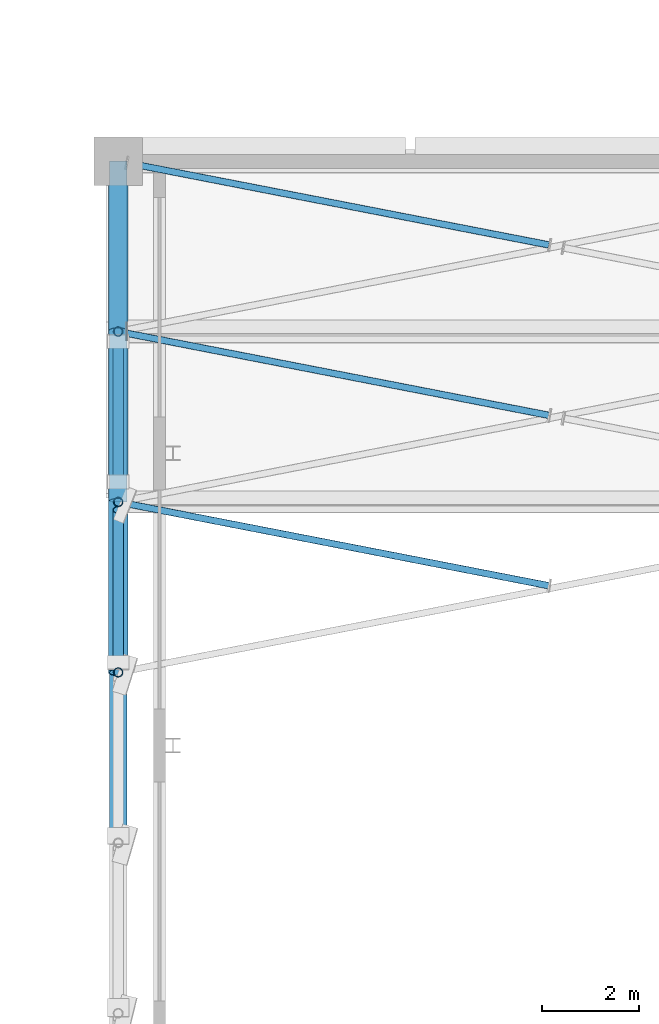
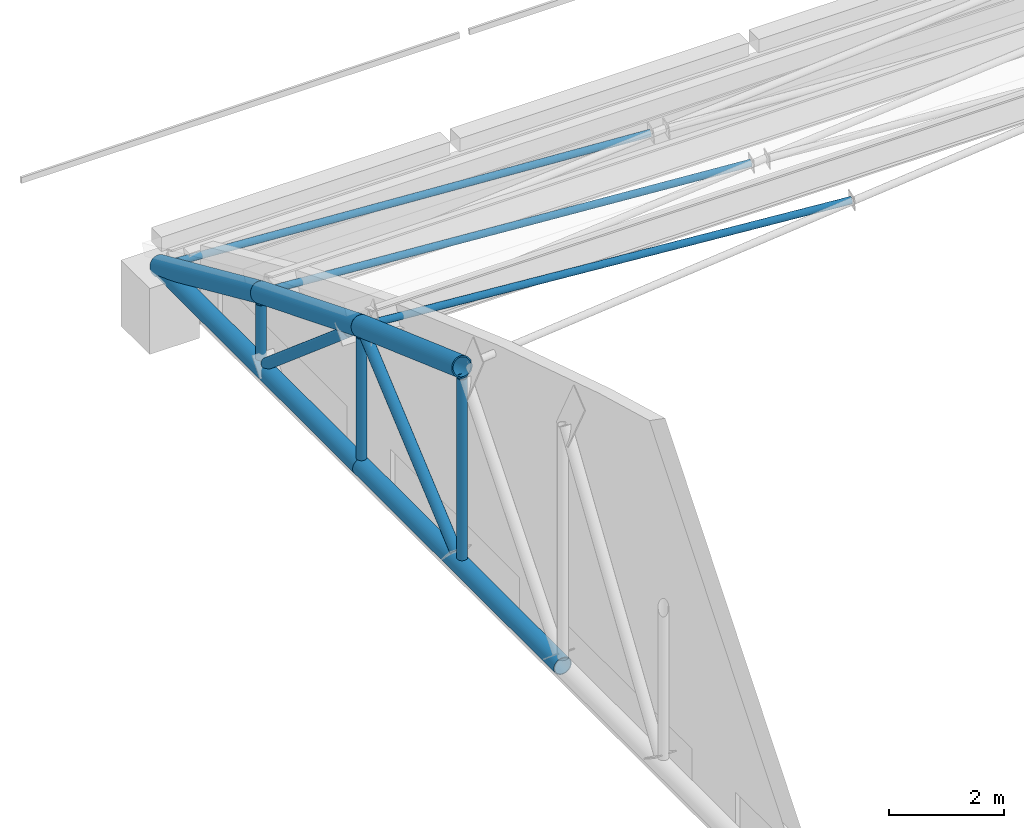
# One storey, part 64 of 196: 13 members.
"""IFC4 building model written with IfcOpenShell, lengths in metres."""

import ifcopenshell
import ifcopenshell.guid

model = None  # the IFC model being written
_history = None  # IfcOwnerHistory: only IFC2X3 demands one
_inside = {}  # id of a spatial element -> (the spatial element, [elements in it])
_under = {}  # id of a project, library or spatial element -> (it, [spatial elements below it])
_declared = {}  # id of a project -> (the project, [libraries it declares])
_typed = {}  # id of a type object -> (the type object, [elements of that type])
_made_of = {}  # id of a material, layer set ... -> (it, [elements and type objects made of it])


def new_model(schema):
    """Start an empty IFC model of exactly this schema.

    Asked for "IFC4X3", IfcOpenShell would pick the latest addendum, in which some entities
    have other attributes; the version numbers below select the first issue.
    IFC2X3 requires an IfcOwnerHistory on every rooted entity: one is made here for all.
    """
    global model, _history
    if schema == "IFC4X3":
        model = ifcopenshell.file(schema_version=(4, 3, 0, 0))
    else:
        model = ifcopenshell.file(schema=schema)
    _inside.clear()
    _under.clear()
    _declared.clear()
    _typed.clear()
    _made_of.clear()
    _history = None
    if model.schema == "IFC2X3":
        org = make("IfcOrganization", Name="unknown")
        user = make(
            "IfcPersonAndOrganization",
            ThePerson=make("IfcPerson", FamilyName="unknown"),
            TheOrganization=org,
        )
        app = make(
            "IfcApplication",
            ApplicationDeveloper=org,
            Version="unknown",
            ApplicationFullName="unknown",
            ApplicationIdentifier="unknown",
        )
        _history = make(
            "IfcOwnerHistory",
            OwningUser=user,
            OwningApplication=app,
            ChangeAction="ADDED",
            CreationDate=0,
        )
    return model


def make(cls, **values):
    """One entity of the class cls with the attributes given. An attribute that is None is left unset."""
    return model.create_entity(
        cls, **{name: value for name, value in values.items() if value is not None}
    )


def rooted(cls, **values):
    """An entity with a GlobalId (a new one), such as an element, a storey or a relation."""
    return make(cls, GlobalId=ifcopenshell.guid.new(), OwnerHistory=_history, **values)


def si_unit(unit_type, name, prefix=None):
    """IfcSIUnit, for example si_unit("LENGTHUNIT", "METRE", prefix="MILLI")."""
    return make("IfcSIUnit", UnitType=unit_type, Prefix=prefix, Name=name)


def assignment(units):
    """IfcUnitAssignment: the units of a project."""
    return None if units is None else make("IfcUnitAssignment", Units=units)


def point(xyz):
    """IfcCartesianPoint."""
    return None if xyz is None else make("IfcCartesianPoint", Coordinates=xyz)


def direction(xyz):
    """IfcDirection."""
    return None if xyz is None else make("IfcDirection", DirectionRatios=xyz)


def frame(location, z_axis=None, x_axis=None):
    """IfcAxis2Placement3D, a coordinate frame: its origin and axes. An axis left out is left unset."""
    return make(
        "IfcAxis2Placement3D",
        Location=point(location),
        Axis=direction(z_axis),
        RefDirection=direction(x_axis),
    )


def frame_2d(location, x_axis=None):
    """IfcAxis2Placement2D, a coordinate frame in the plane: its origin and x axis."""
    return make(
        "IfcAxis2Placement2D", Location=point(location), RefDirection=direction(x_axis)
    )


def origin():
    """The frame at (0, 0, 0) with its axes left unset."""
    return frame((0.0, 0.0, 0.0))


def origin_2d():
    """The frame at (0, 0) in the plane with its x axis left unset."""
    return frame_2d((0.0, 0.0))


def place(relative_to, where):
    """IfcLocalPlacement: puts the frame where relative to a parent placement (None: the world)."""
    return make(
        "IfcLocalPlacement", PlacementRelTo=relative_to, RelativePlacement=where
    )


def context(
    kind, dimensions, precision=None, world=None, true_north=None, identifier=None
):
    """IfcGeometricRepresentationContext, for example the 3D "Model" context."""
    return make(
        "IfcGeometricRepresentationContext",
        ContextIdentifier=identifier,
        ContextType=kind,
        CoordinateSpaceDimension=dimensions,
        Precision=precision,
        WorldCoordinateSystem=world,
        TrueNorth=true_north,
    )


def subcontext(parent, identifier, kind, view, scale=None):
    """IfcGeometricRepresentationSubContext, for example "Body" below "Model"."""
    return make(
        "IfcGeometricRepresentationSubContext",
        ContextIdentifier=identifier,
        ContextType=kind,
        ParentContext=parent,
        TargetScale=scale,
        TargetView=view,
    )


def project(units=None, contexts=None):
    """IfcProject with its units and contexts."""
    return rooted(
        "IfcProject",
        Name="project",
        RepresentationContexts=contexts,
        UnitsInContext=assignment(units),
    )


def spatial(cls, under=None, at=None, **own):
    """A site, building, storey or space (cls), placed at a placement, below another one or the project."""
    s = rooted(cls, ObjectPlacement=at, **own)
    if under is not None:
        _under.setdefault(under.id(), (under, []))[1].append(s)
    return s


def profile(cls, at=None, kind="AREA", **sizes):
    """A parametric profile (cls). Its sizes go by their IFC names, for example OverallWidth=200.0."""
    return make(cls, ProfileType=kind, Position=at, **sizes)


def hollow_circle(**sizes):
    """IfcCircleHollowProfileDef."""
    return profile("IfcCircleHollowProfileDef", **sizes)


def extrude(swept, where, along, depth):
    """IfcExtrudedAreaSolid: the profile swept, set in the frame where, extruded along a direction by depth."""
    return make(
        "IfcExtrudedAreaSolid",
        SweptArea=swept,
        Position=where,
        ExtrudedDirection=direction(along),
        Depth=depth,
    )


def shape(context_of_items, identifier, shape_type, items):
    """IfcShapeRepresentation: the items that make up one representation, for example the "Body"."""
    return make(
        "IfcShapeRepresentation",
        ContextOfItems=context_of_items,
        RepresentationIdentifier=identifier,
        RepresentationType=shape_type,
        Items=items,
    )


def material(Name=None, Category=None):
    """IfcMaterial."""
    return make("IfcMaterial", Name=Name, Category=Category)


def material_profile(
    of_material, cross_section, Name=None, Category=None, Priority=None
):
    """IfcMaterialProfile: a cross section and its material."""
    return make(
        "IfcMaterialProfile",
        Name=Name,
        Material=of_material,
        Profile=cross_section,
        Priority=Priority,
        Category=Category,
    )


def profile_set(profiles, Name=None, composite=None):
    """IfcMaterialProfileSet."""
    return make(
        "IfcMaterialProfileSet",
        Name=Name,
        MaterialProfiles=profiles,
        CompositeProfile=composite,
    )


def made_of(thing, what):
    """Note that an element or type object is made of a material, layer set ...; save() writes the relation."""
    if what is not None:
        _made_of.setdefault(what.id(), (what, []))[1].append(thing)
    return thing


def type_object(cls, material=None, **own):
    """A type object (cls), such as IfcWallType, which elements share."""
    return made_of(rooted(cls, **own), material)


def element(
    cls,
    number,
    at=None,
    inside=None,
    cuts=None,
    type_object=None,
    material=None,
    context=None,
    identifier="Body",
    shape_type=None,
    held_by="IfcProductDefinitionShape",
    body=None,
    shapes=None,
    **own,
):
    """One element of the class cls, such as IfcWall. Its Tag is "e" and its number.

    at: its placement. inside: the storey or other place that contains it. cuts: it is an
    opening in that element (IfcRelVoidsElement). A single representation is given by context,
    identifier, shape_type and body (its items); several are given by shapes. held_by: the class
    of the entity that holds the representations. save() writes the other relations.
    """
    e = rooted(cls, Tag="e%d" % number, ObjectPlacement=at, **own)
    if body is not None:
        shapes = [shape(context, identifier, shape_type, body)]
    if shapes is not None:
        e.Representation = make(held_by, Representations=shapes)
    if inside is not None:
        _inside.setdefault(inside.id(), (inside, []))[1].append(e)
    if cuts is not None:
        rooted(
            "IfcRelVoidsElement", RelatingBuildingElement=cuts, RelatedOpeningElement=e
        )
    if type_object is not None:
        _typed.setdefault(type_object.id(), (type_object, []))[1].append(e)
    return made_of(e, material)


def aggregate(whole, parts):
    """IfcRelAggregates: a whole, such as a stair, and the parts it consists of."""
    return rooted("IfcRelAggregates", RelatingObject=whole, RelatedObjects=parts)


def save(model, path):
    """Write the relations noted so far, then the file.

    IfcRelAggregates (storeys below a building ...), IfcRelContainedInSpatialStructure (elements
    in a storey), IfcRelDefinesByType, IfcRelAssociatesMaterial and IfcRelDeclares: one each for
    every whole, place, type object, material and project.
    """
    for whole, parts in _under.values():
        aggregate(whole, parts)
    for where, things in _inside.values():
        rooted(
            "IfcRelContainedInSpatialStructure",
            RelatedElements=things,
            RelatingStructure=where,
        )
    for kind, things in _typed.values():
        rooted("IfcRelDefinesByType", RelatedObjects=things, RelatingType=kind)
    for what, things in _made_of.values():
        rooted("IfcRelAssociatesMaterial", RelatedObjects=things, RelatingMaterial=what)
    for by, libraries in _declared.values():
        rooted("IfcRelDeclares", RelatingContext=by, RelatedDefinitions=libraries)
    model.write(path)


model = new_model("IFC4")

# Units and contexts
model_context = context("Model", 3, precision=1e-05, world=origin(), true_north=direction((0.0, 1.0)))
body_context = subcontext(model_context, "Body", "Model", "MODEL_VIEW")
ifc_project = project(units=[si_unit("LENGTHUNIT", "METRE"), si_unit("AREAUNIT", "SQUARE_METRE"), si_unit("VOLUMEUNIT", "CUBIC_METRE"), si_unit("PLANEANGLEUNIT", "RADIAN"), si_unit("MASSUNIT", "GRAM", prefix="KILO")], contexts=[model_context])

# Site, building, storey
site_placement = place(None, origin())
site = spatial("IfcSite", under=ifc_project, at=site_placement, CompositionType="ELEMENT")
building_placement = place(site_placement, origin())
building = spatial("IfcBuilding", under=site, at=building_placement, Name="Okhra Congress Centre", CompositionType="ELEMENT")
storey_placement = place(building_placement, frame((0.0, 0.0, 12.0)))
storey = spatial("IfcBuildingStorey", under=building, at=storey_placement, Name="L02", CompositionType="ELEMENT", Elevation=12.0)

# Members
ifc_material = material(Name="Steel S355J2H", Category="steel")
ifc_material_profile_1 = material_profile(ifc_material, hollow_circle(Radius=0.06982421875, WallThickness=0.00634765625, at=origin_2d()), Name="CHS 139.7x6.3")
ifc_profile_set_1 = profile_set([ifc_material_profile_1], Name="Steel S355J2H")
member_type_1 = type_object("IfcMemberType", Name="CHS 139.7x6.3", PredefinedType="BRACE", material=ifc_profile_set_1)
member_1_placement = place(storey_placement, frame((36.844970703125, 207.280029296875, 4.99072265625), z_axis=(-0.979323118912, 0.190430842458, -0.068281205364), x_axis=(-0.190876325854, -0.981614093332, 0.0)))
element("IfcMember", 1, at=member_1_placement, inside=storey, type_object=member_type_1, Name="EH.MEM.L02.XB1-22-2b", PredefinedType="BRACE", context=body_context, shape_type="SweptSolid", body=[
    extrude(hollow_circle(Radius=0.06982421875, WallThickness=0.00634765625, at=origin_2d()), origin(), (0.0, 0.0, 1.0), 8.84228515625),
])
member_2_placement = place(storey_placement, frame((36.847412109375, 210.77978515625, 3.658447265625), z_axis=(-0.97874056041, 0.19029150725, -0.076524882736), x_axis=(-0.190851145429, -0.981618989368, 0.0)))
element("IfcMember", 2, at=member_2_placement, inside=storey, type_object=member_type_1, Name="EH.MEM.L02.XB1-23-2b", PredefinedType="BRACE", context=body_context, shape_type="SweptSolid", body=[
    extrude(hollow_circle(Radius=0.06982421875, WallThickness=0.00634765625, at=origin_2d()), origin(), (0.0, 0.0, 1.0), 8.85009765625),
])
member_3_placement = place(storey_placement, frame((36.85009765625, 214.279052734375, 2.17041015625), z_axis=(-0.978051270157, 0.190181228948, -0.085128215653), x_axis=(-0.190874100976, -0.98161452596, 0.0)))
element("IfcMember", 3, at=member_3_placement, inside=storey, type_object=member_type_1, Name="EH.MEM.L02.XB1-24-2b", PredefinedType="BRACE", context=body_context, shape_type="SweptSolid", body=[
    extrude(hollow_circle(Radius=0.06982421875, WallThickness=0.00634765625, at=origin_2d()), origin(), (0.0, 0.0, 1.0), 8.85888671875),
])
ifc_material_profile_2 = material_profile(ifc_material, hollow_circle(Radius=0.096923828125, WallThickness=0.012451171875, at=origin_2d()), Name="CHS 193.7x12.5")
ifc_profile_set_2 = profile_set([ifc_material_profile_2], Name="Steel S355J2H")
member_type_2 = type_object("IfcMemberType", Name="CHS 193.7x12.5", PredefinedType="POST", material=ifc_profile_set_2)
member_4_placement = place(storey_placement, frame((28.0, 205.5, 1.577880859375), z_axis=(0.0, 0.0, 1.0), x_axis=(1.0, 0.0, 0.0)))
element("IfcMember", 4, at=member_4_placement, inside=storey, type_object=member_type_2, Name="EH.MEM.L02.T1-VER-21", PredefinedType="POST", context=body_context, shape_type="SweptSolid", body=[
    extrude(hollow_circle(Radius=0.096923828125, WallThickness=0.012451171875, at=origin_2d()), origin(), (0.0, 0.0, 1.0), 3.836669921875),
])
member_5_placement = place(storey_placement, frame((28.0, 209.0, 1.577880859375), z_axis=(0.0, 0.0, 1.0), x_axis=(1.0, 0.0, 0.0)))
element("IfcMember", 5, at=member_5_placement, inside=storey, type_object=member_type_2, Name="EH.MEM.L02.T1-VER-22", PredefinedType="POST", context=body_context, shape_type="SweptSolid", body=[
    extrude(hollow_circle(Radius=0.096923828125, WallThickness=0.012451171875, at=origin_2d()), origin(), (0.0, 0.0, 1.0), 2.578857421875),
])
member_6_placement = place(storey_placement, frame((28.0, 212.5, 1.577880859375), z_axis=(0.0, 0.0, 1.0), x_axis=(1.0, 0.0, 0.0)))
element("IfcMember", 6, at=member_6_placement, inside=storey, type_object=member_type_2, Name="EH.MEM.L02.T1-VER-23", PredefinedType="POST", context=body_context, shape_type="SweptSolid", body=[
    extrude(hollow_circle(Radius=0.096923828125, WallThickness=0.012451171875, at=origin_2d()), origin(), (0.0, 0.0, 1.0), 1.168212890625),
])
ifc_material_profile_3 = material_profile(ifc_material, hollow_circle(Radius=0.109619140625, WallThickness=0.012451171875, at=origin_2d()), Name="CHS 219.1x12.5")
ifc_profile_set_3 = profile_set([ifc_material_profile_3], Name="Steel S355J2H")
member_type_3 = type_object("IfcMemberType", Name="CHS 219.1x12.5", PredefinedType="BRACE", material=ifc_profile_set_3)
member_7_placement = place(storey_placement, frame((28.0, 208.8388671875, 4.237060546875), z_axis=(0.0, -0.762061047132, -0.64750518179), x_axis=(1.0, 0.0, 0.0)))
element("IfcMember", 7, at=member_7_placement, inside=storey, type_object=member_type_3, Name="EH.MEM.L02.T1-DIA-21", PredefinedType="BRACE", context=body_context, shape_type="SweptSolid", body=[
    extrude(hollow_circle(Radius=0.109619140625, WallThickness=0.012451171875, at=origin_2d()), origin(), (0.0, 0.0, 1.0), 4.106689453125),
])
member_8_placement = place(storey_placement, frame((28.0, 209.42578125, 4.01220703125), z_axis=(0.0, 0.76205947483, -0.647507032257), x_axis=(-1.0, 0.0, 0.0)))
element("IfcMember", 8, at=member_8_placement, inside=storey, type_object=member_type_3, Name="EH.MEM.L02.T1-DIA-22", PredefinedType="BRACE", context=body_context, shape_type="SweptSolid", body=[
    extrude(hollow_circle(Radius=0.109619140625, WallThickness=0.012451171875, at=origin_2d()), origin(), (0.0, 0.0, 1.0), 3.759521484375),
])
ifc_material_profile_4 = material_profile(ifc_material, hollow_circle(Radius=0.177734375, WallThickness=0.01611328125, at=origin_2d()), Name="CHS 355.6x16.0")
ifc_profile_set_4 = profile_set([ifc_material_profile_4], Name="Steel S355J2H")
member_type_4 = type_object("IfcMemberType", Name="CHS 355.6x16.0", PredefinedType="CHORD", material=ifc_profile_set_4)
member_9_placement = place(storey_placement, frame((28.0, 202.0, 1.39990234375), z_axis=(0.0, 1.0, 0.0), x_axis=(-1.0, 0.0, 0.0)))
element("IfcMember", 9, at=member_9_placement, inside=storey, type_object=member_type_4, Name="EH.MEM.L02.T1-BOT-11", PredefinedType="CHORD", context=body_context, shape_type="SweptSolid", body=[
    extrude(hollow_circle(Radius=0.177734375, WallThickness=0.01611328125, at=origin_2d()), origin(), (0.0, 0.0, 1.0), 7.0),
])
ifc_material_profile_5 = material_profile(ifc_material, hollow_circle(Radius=0.177734375, WallThickness=0.02490234375, at=origin_2d()), Name="CHS 355.6x25.0")
ifc_profile_set_5 = profile_set([ifc_material_profile_5], Name="Steel S355J2H")
member_type_5 = type_object("IfcMemberType", Name="CHS 355.6x25.0", PredefinedType="CHORD", material=ifc_profile_set_5)
member_10_placement = place(storey_placement, frame((28.0, 209.0, 1.39990234375), z_axis=(0.0, 1.0, 0.0), x_axis=(-1.0, 0.0, 0.0)))
element("IfcMember", 10, at=member_10_placement, inside=storey, type_object=member_type_5, Name="EH.MEM.L02.T1-BOT-12", PredefinedType="CHORD", context=body_context, shape_type="SweptSolid", body=[
    extrude(hollow_circle(Radius=0.177734375, WallThickness=0.02490234375, at=origin_2d()), origin(), (0.0, 0.0, 1.0), 7.0),
])
ifc_material_profile_6 = material_profile(ifc_material, hollow_circle(Radius=0.203125, WallThickness=0.02490234375, at=origin_2d()), Name="CHS 406.4x25.0")
ifc_profile_set_6 = profile_set([ifc_material_profile_6], Name="Steel S355J2H")
member_type_6 = type_object("IfcMemberType", Name="CHS 406.4x25.0", PredefinedType="CHORD", material=ifc_profile_set_6)
member_11_placement = place(storey_placement, frame((28.0, 205.5, 5.629150390625), z_axis=(0.0, 0.941304373418, -0.337558997192), x_axis=(-1.0, 0.0, 0.0)))
element("IfcMember", 11, at=member_11_placement, inside=storey, type_object=member_type_6, Name="EH.MEM.L02.T1-TOP-22", PredefinedType="CHORD", context=body_context, shape_type="SweptSolid", body=[
    extrude(hollow_circle(Radius=0.203125, WallThickness=0.02490234375, at=origin_2d()), origin(), (0.0, 0.0, 1.0), 3.71826171875),
])
member_12_placement = place(storey_placement, frame((28.0, 209.0, 4.3740234375), z_axis=(0.0, 0.927814639871, -0.373041544658), x_axis=(-1.0, 0.0, 0.0)))
element("IfcMember", 12, at=member_12_placement, inside=storey, type_object=member_type_6, Name="EH.MEM.L02.T1-TOP-23", PredefinedType="CHORD", context=body_context, shape_type="SweptSolid", body=[
    extrude(hollow_circle(Radius=0.203125, WallThickness=0.02490234375, at=origin_2d()), origin(), (0.0, 0.0, 1.0), 3.772216796875),
])
member_13_placement = place(storey_placement, frame((28.0, 212.5, 2.966796875), z_axis=(0.0, 0.912710800597, -0.408606160591), x_axis=(-1.0, 0.0, 0.0)))
element("IfcMember", 13, at=member_13_placement, inside=storey, type_object=member_type_6, Name="EH.MEM.L02.T1-TOP-24", PredefinedType="CHORD", context=body_context, shape_type="SweptSolid", body=[
    extrude(hollow_circle(Radius=0.203125, WallThickness=0.02490234375, at=origin_2d()), origin(), (0.0, 0.0, 1.0), 3.834716796875),
])

save(model, "model.ifc")
